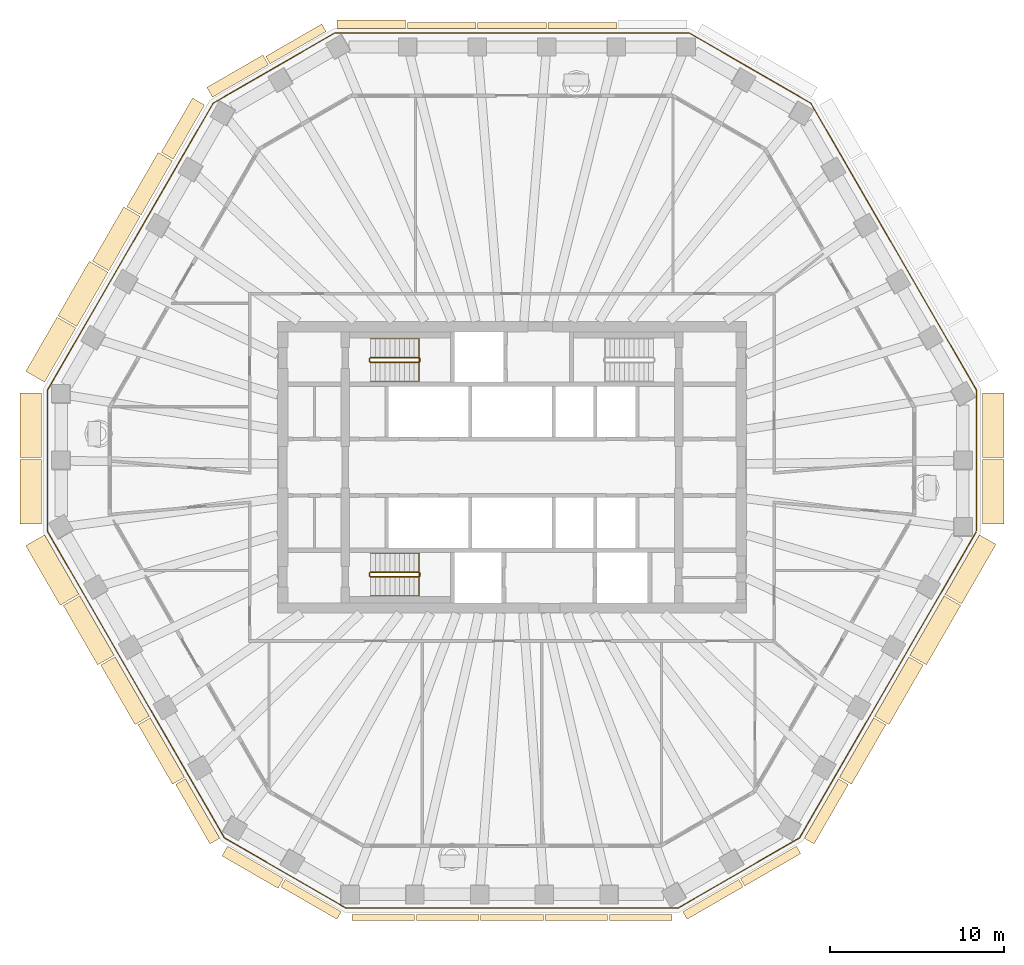
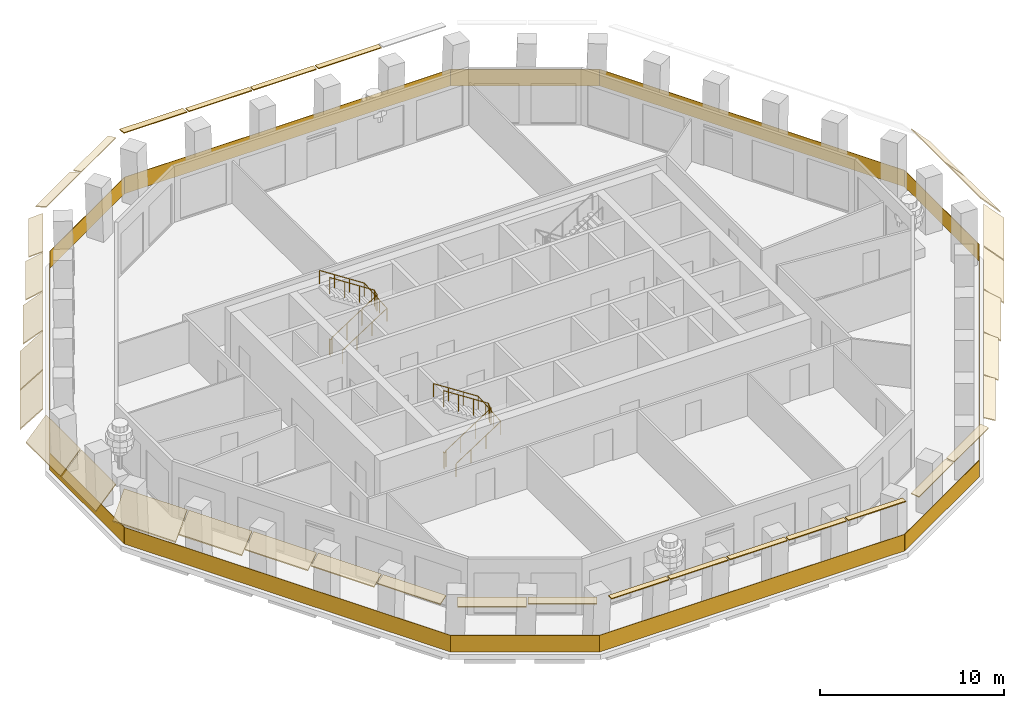
# One storey, part 9 of 12: 34 coverings, 5 railings.
"""IFC4 building model written with IfcOpenShell, lengths in metres."""

from ifc_helpers import new_model, si_unit, direction, frame, origin, origin_2d, place, context, subcontext, project, spatial, polyline, rectangle, circle, outline, extrude, material, layer, layer_set, type_object, element, save


model = new_model("IFC4")

# Units and contexts
model_context = context("Model", 3, precision=1e-05, world=origin(), true_north=direction((0.0, 1.0)))
body_context = subcontext(model_context, "Body", "Model", "MODEL_VIEW")
ifc_project = project(units=[si_unit("LENGTHUNIT", "METRE"), si_unit("AREAUNIT", "SQUARE_METRE"), si_unit("VOLUMEUNIT", "CUBIC_METRE"), si_unit("PLANEANGLEUNIT", "RADIAN"), si_unit("MASSUNIT", "GRAM", prefix="KILO")], contexts=[model_context])

# Site, building, storey
site_placement = place(None, origin())
site = spatial("IfcSite", under=ifc_project, at=site_placement, CompositionType="ELEMENT")
building_placement = place(site_placement, origin())
building = spatial("IfcBuilding", under=site, at=building_placement, Name="Frailejon Research Tower", CompositionType="ELEMENT")
storey_placement = place(building_placement, frame((0.0, 0.0, 223.39990234375)))
storey = spatial("IfcBuildingStorey", under=building, at=storey_placement, Name="L48", CompositionType="ELEMENT", Elevation=223.39990234375)

# Coverings
ifc_material_1 = material(Name="Precast concrete C50/60", Category="concrete")
ifc_layer_1 = layer(ifc_material_1, 0.06005859375)
ifc_layer_set_1 = layer_set([ifc_layer_1], Name="Brim blade depth 1100")
covering_type_1 = type_object("IfcCoveringType", Name="Brim blade depth 1100", PredefinedType="CLADDING", material=ifc_layer_set_1)
covering_1_placement = place(storey_placement, frame((-23.203857421875, 11.315185546875, 3.85009765625), z_axis=(0.499999687964, 0.866025583938, 0.0), x_axis=(-0.866025583938, 0.499999687964, 0.0)))
element("IfcCovering", 1, at=covering_1_placement, inside=storey, type_object=covering_type_1, Name="Brim blade L48", PredefinedType="CLADDING", context=body_context, shape_type="SweptSolid", body=[
    extrude(outline(polyline([(0.0, -0.078369140625), (1.10009765625, -1.001220703125), (1.10009765625, -0.923095703125), (0.0, 0.0), (0.0, -0.078369140625)])), origin(), (0.0, 0.0, 1.0), 3.605224609375),
])
for number, where, z_axis, x_axis, name in (
    (2, (-22.905517578125, -10.826416015625, 3.85009765625), (-0.499983695869, 0.866034816774, 0.0), (-0.866034816774, -0.499983695869, 0.0), "Brim blade L48"),
    (3, (24.882080078125, -7.402587890625, 3.85009765625), (-0.499983695869, -0.866034816774, 0.0), (0.866034816774, -0.499983695869, 0.0), "Brim blade L48"),
    (4, (26.908935546875, -3.89208984375, 3.85009765625), (-0.500012880917, -0.866017966856, 0.0), (0.866017966856, -0.500012880917, 0.0), "Brim blade L48"),
):
    element("IfcCovering", number, at=place(storey_placement, frame(where, z_axis=z_axis, x_axis=x_axis)), inside=storey, type_object=covering_type_1, Name=name, PredefinedType="CLADDING", context=body_context, shape_type="SweptSolid", body=[
        extrude(outline(polyline([(0.0, -0.078369140625), (1.10009765625, -1.001220703125), (1.10009765625, -0.923095703125), (0.0, 0.0), (0.0, -0.078369140625)])), origin(), (0.0, 0.0, 1.0), 3.95361328125),
    ])
ifc_material_2 = material(Name="Precast concrete C50/60", Category="concrete")
ifc_layer_2 = layer(ifc_material_2, 0.06005859375)
ifc_layer_set_2 = layer_set([ifc_layer_2], Name="Brim blade depth 1250")
covering_type_2 = type_object("IfcCoveringType", Name="Brim blade depth 1250", PredefinedType="CLADDING", material=ifc_layer_set_2)
for number, where, z_axis, x_axis, name in (
    (5, (27.07470703125, 0.452880859375, 3.85009765625), (0.0, -1.0, 0.0), (1.0, 0.0, 0.0), "Brim blade L48"),
    (6, (27.07470703125, 4.279541015625, 3.85009765625), (0.0, -1.0, 0.0), (1.0, 0.0, 0.0), "Brim blade L48"),
):
    element("IfcCovering", number, at=place(storey_placement, frame(where, z_axis=z_axis, x_axis=x_axis)), inside=storey, type_object=covering_type_2, Name=name, PredefinedType="CLADDING", context=body_context, shape_type="SweptSolid", body=[
        extrude(outline(polyline([(0.0, -0.0888671875), (1.25, -1.452880859375), (1.25, -1.364013671875), (0.0, 0.0), (0.0, -0.0888671875)])), origin(), (0.0, 0.0, 1.0), 3.726806640625),
    ])
covering_2_placement = place(storey_placement, frame((-25.056396484375, 8.106689453125, 3.85009765625), z_axis=(0.499991131855, 0.86603052375, 0.0), x_axis=(-0.86603052375, 0.499991131855, 0.0)))
element("IfcCovering", 7, at=covering_2_placement, inside=storey, type_object=covering_type_2, Name="Brim blade L48", PredefinedType="CLADDING", context=body_context, shape_type="SweptSolid", body=[
    extrude(outline(polyline([(0.0, -0.0888671875), (1.25, -1.452880859375), (1.25, -1.364013671875), (0.0, 0.0), (0.0, -0.0888671875)])), origin(), (0.0, 0.0, 1.0), 3.60498046875),
])
covering_3_placement = place(storey_placement, frame((-26.908935546875, 4.897705078125, 3.85009765625), z_axis=(0.499999687964, 0.866025583938, 0.0), x_axis=(-0.866025583938, 0.499999687964, 0.0)))
element("IfcCovering", 8, at=covering_3_placement, inside=storey, type_object=covering_type_2, Name="Brim blade L48", PredefinedType="CLADDING", context=body_context, shape_type="SweptSolid", body=[
    extrude(outline(polyline([(0.0, -0.0888671875), (1.25, -1.452880859375), (1.25, -1.364013671875), (0.0, 0.0), (0.0, -0.0888671875)])), origin(), (0.0, 0.0, 1.0), 3.605224609375),
])
for number, where, z_axis, x_axis, name in (
    (9, (-27.07470703125, 0.552734375, 3.85009765625), (0.0, 1.0, 0.0), (-1.0, 0.0, 0.0), "Brim blade L48"),
    (10, (-27.07470703125, -3.27392578125, 3.85009765625), (0.0, 1.0, 0.0), (-1.0, 0.0, 0.0), "Brim blade L48"),
):
    element("IfcCovering", number, at=place(storey_placement, frame(where, z_axis=z_axis, x_axis=x_axis)), inside=storey, type_object=covering_type_2, Name=name, PredefinedType="CLADDING", context=body_context, shape_type="SweptSolid", body=[
        extrude(outline(polyline([(0.0, -0.0888671875), (1.25, -1.452880859375), (1.25, -1.364013671875), (0.0, 0.0), (0.0, -0.0888671875)])), origin(), (0.0, 0.0, 1.0), 3.726806640625),
    ])
covering_4_placement = place(storey_placement, frame((-24.93212890625, -7.31591796875, 3.85009765625), z_axis=(-0.500012880917, 0.866017966856, 0.0), x_axis=(-0.866017966856, -0.500012880917, 0.0)))
element("IfcCovering", 11, at=covering_4_placement, inside=storey, type_object=covering_type_2, Name="Brim blade L48", PredefinedType="CLADDING", context=body_context, shape_type="SweptSolid", body=[
    extrude(outline(polyline([(0.0, -0.0888671875), (1.25, -1.452880859375), (1.25, -1.364013671875), (0.0, 0.0), (0.0, -0.0888671875)])), origin(), (0.0, 0.0, 1.0), 3.95361328125),
])
ifc_material_3 = material(Name="Precast concrete C50/60", Category="concrete")
ifc_layer_3 = layer(ifc_material_3, 0.06005859375)
ifc_layer_set_3 = layer_set([ifc_layer_3], Name="Brim blade depth 350")
covering_type_3 = type_object("IfcCoveringType", Name="Brim blade depth 350", PredefinedType="CLADDING", material=ifc_layer_set_3)
for number, where, z_axis, x_axis, name in (
    (12, (2.076904296875, 25.25, 3.85009765625), (1.0, 0.0, 0.0), (0.0, 1.0, 0.0), "Brim blade L48"),
    (13, (-1.976806640625, 25.25, 3.85009765625), (1.0, 0.0, 0.0), (0.0, 1.0, 0.0), "Brim blade L48"),
    (14, (-6.0302734375, 25.25, 3.85009765625), (1.0, 0.0, 0.0), (0.0, 1.0, 0.0), "Brim blade L48"),
):
    element("IfcCovering", number, at=place(storey_placement, frame(where, z_axis=z_axis, x_axis=x_axis)), inside=storey, type_object=covering_type_3, Name=name, PredefinedType="CLADDING", context=body_context, shape_type="SweptSolid", body=[
        extrude(outline(polyline([(0.0, -0.06005859375), (0.35009765625, -0.06005859375), (0.35009765625, 0.0), (0.0, 0.0), (0.0, -0.06005859375)])), origin(), (0.0, 0.0, 1.0), 3.95361328125),
    ])
covering_5_placement = place(storey_placement, frame((-5.607666015625, -25.752685546875, 3.85009765625), z_axis=(-1.0, 0.0, 0.0), x_axis=(0.0, -1.0, 0.0)))
element("IfcCovering", 15, at=covering_5_placement, inside=storey, type_object=covering_type_3, Name="Brim blade L48", PredefinedType="CLADDING", context=body_context, shape_type="SweptSolid", body=[
    extrude(outline(polyline([(0.0, -0.06005859375), (0.35009765625, -0.06005859375), (0.35009765625, 0.0), (0.0, 0.0), (0.0, -0.06005859375)])), origin(), (0.0, 0.0, 1.0), 3.605224609375),
])
covering_6_placement = place(storey_placement, frame((-1.902587890625, -25.752685546875, 3.85009765625), z_axis=(-1.0, 0.0, 0.0), x_axis=(0.0, -1.0, 0.0)))
element("IfcCovering", 16, at=covering_6_placement, inside=storey, type_object=covering_type_3, Name="Brim blade L48", PredefinedType="CLADDING", context=body_context, shape_type="SweptSolid", body=[
    extrude(outline(polyline([(0.0, -0.06005859375), (0.35009765625, -0.06005859375), (0.35009765625, 0.0), (0.0, 0.0), (0.0, -0.06005859375)])), origin(), (0.0, 0.0, 1.0), 3.60498046875),
])
covering_7_placement = place(storey_placement, frame((1.802490234375, -25.752685546875, 3.85009765625), z_axis=(-1.0, 0.0, 0.0), x_axis=(0.0, -1.0, 0.0)))
element("IfcCovering", 17, at=covering_7_placement, inside=storey, type_object=covering_type_3, Name="Brim blade L48", PredefinedType="CLADDING", context=body_context, shape_type="SweptSolid", body=[
    extrude(outline(polyline([(0.0, -0.06005859375), (0.35009765625, -0.06005859375), (0.35009765625, 0.0), (0.0, 0.0), (0.0, -0.06005859375)])), origin(), (0.0, 0.0, 1.0), 3.605224609375),
])
covering_8_placement = place(storey_placement, frame((5.5078125, -25.752685546875, 3.85009765625), z_axis=(-1.0, 0.0, 0.0), x_axis=(0.0, -1.0, 0.0)))
element("IfcCovering", 18, at=covering_8_placement, inside=storey, type_object=covering_type_3, Name="Brim blade L48", PredefinedType="CLADDING", context=body_context, shape_type="SweptSolid", body=[
    extrude(outline(polyline([(0.0, -0.06005859375), (0.35009765625, -0.06005859375), (0.35009765625, 0.0), (0.0, 0.0), (0.0, -0.06005859375)])), origin(), (0.0, 0.0, 1.0), 3.60498046875),
])
covering_9_placement = place(storey_placement, frame((9.212890625, -25.752685546875, 3.85009765625), z_axis=(-1.0, 0.0, 0.0), x_axis=(0.0, -1.0, 0.0)))
element("IfcCovering", 19, at=covering_9_placement, inside=storey, type_object=covering_type_3, Name="Brim blade L48", PredefinedType="CLADDING", context=body_context, shape_type="SweptSolid", body=[
    extrude(outline(polyline([(0.0, -0.06005859375), (0.35009765625, -0.06005859375), (0.35009765625, 0.0), (0.0, 0.0), (0.0, -0.06005859375)])), origin(), (0.0, 0.0, 1.0), 3.605224609375),
])
ifc_material_4 = material(Name="Precast concrete C50/60", Category="concrete")
ifc_layer_4 = layer(ifc_material_4, 0.06005859375)
ifc_layer_set_4 = layer_set([ifc_layer_4], Name="Brim blade depth 500")
covering_type_4 = type_object("IfcCoveringType", Name="Brim blade depth 500", PredefinedType="CLADDING", material=ifc_layer_set_4)
covering_10_placement = place(storey_placement, frame((-10.083740234375, 25.25, 3.85009765625), z_axis=(1.0, 0.0, 0.0), x_axis=(0.0, 1.0, 0.0)))
element("IfcCovering", 20, at=covering_10_placement, inside=storey, type_object=covering_type_4, Name="Brim blade L48", PredefinedType="CLADDING", context=body_context, shape_type="SweptSolid", body=[
    extrude(outline(polyline([(0.0, -0.060546875), (0.5, -0.130859375), (0.5, -0.0703125), (0.0, 0.0), (0.0, -0.060546875)])), origin(), (0.0, 0.0, 1.0), 3.95361328125),
])
for number, where, z_axis, x_axis, name in (
    (21, (-13.929443359375, 23.220947265625, 3.85009765625), (0.866018477835, 0.500011995905, 0.0), (-0.500011995905, 0.866018477835, 0.0), "Brim blade L48"),
    (22, (-9.831298828125, -25.587158203125, 3.85009765625), (-0.866029793251, 0.499992397145, 0.0), (-0.499992397145, -0.866029793251, 0.0), "Brim blade L48"),
    (23, (13.05859375, -23.723876953125, 3.85009765625), (-0.866029793251, -0.499992397145, 0.0), (0.499992397145, -0.866029793251, 0.0), "Brim blade L48"),
    (24, (16.37255859375, -21.810302734375, 3.85009765625), (-0.866018477835, -0.500011995905, 0.0), (0.500011995905, -0.866018477835, 0.0), "Brim blade L48"),
):
    element("IfcCovering", number, at=place(storey_placement, frame(where, z_axis=z_axis, x_axis=x_axis)), inside=storey, type_object=covering_type_4, Name=name, PredefinedType="CLADDING", context=body_context, shape_type="SweptSolid", body=[
        extrude(outline(polyline([(0.0, -0.060546875), (0.5, -0.130859375), (0.5, -0.0703125), (0.0, 0.0), (0.0, -0.060546875)])), origin(), (0.0, 0.0, 1.0), 3.726806640625),
    ])
ifc_material_5 = material(Name="Precast concrete C50/60", Category="concrete")
ifc_layer_5 = layer(ifc_material_5, 0.06005859375)
ifc_layer_set_5 = layer_set([ifc_layer_5], Name="Brim blade depth 650")
covering_type_5 = type_object("IfcCoveringType", Name="Brim blade depth 650", PredefinedType="CLADDING", material=ifc_layer_set_5)
covering_11_placement = place(storey_placement, frame((-17.243408203125, 21.3076171875, 3.85009765625), z_axis=(0.866029793251, 0.499992397145, 0.0), x_axis=(-0.499992397145, 0.866029793251, 0.0)))
element("IfcCovering", 25, at=covering_11_placement, inside=storey, type_object=covering_type_5, Name="Brim blade L48", PredefinedType="CLADDING", context=body_context, shape_type="SweptSolid", body=[
    extrude(outline(polyline([(0.0, -0.0625), (0.64990234375, -0.248779296875), (0.64990234375, -0.186279296875), (0.0, 0.0), (0.0, -0.0625)])), origin(), (0.0, 0.0, 1.0), 3.726806640625),
])
covering_12_placement = place(storey_placement, frame((-16.8251953125, -21.35791015625, 3.85009765625), z_axis=(-0.500012880917, 0.866017966856, 0.0), x_axis=(-0.866017966856, -0.500012880917, 0.0)))
element("IfcCovering", 26, at=covering_12_placement, inside=storey, type_object=covering_type_5, Name="Brim blade L48", PredefinedType="CLADDING", context=body_context, shape_type="SweptSolid", body=[
    extrude(outline(polyline([(0.0, -0.0625), (0.64990234375, -0.248779296875), (0.64990234375, -0.186279296875), (0.0, 0.0), (0.0, -0.0625)])), origin(), (0.0, 0.0, 1.0), 3.95361328125),
])
covering_13_placement = place(storey_placement, frame((-13.145263671875, -23.673828125, 3.85009765625), z_axis=(-0.866018477835, 0.500011995905, 0.0), x_axis=(-0.500011995905, -0.866018477835, 0.0)))
element("IfcCovering", 27, at=covering_13_placement, inside=storey, type_object=covering_type_5, Name="Brim blade L48", PredefinedType="CLADDING", context=body_context, shape_type="SweptSolid", body=[
    extrude(outline(polyline([(0.0, -0.0625), (0.64990234375, -0.248779296875), (0.64990234375, -0.186279296875), (0.0, 0.0), (0.0, -0.0625)])), origin(), (0.0, 0.0, 1.0), 3.726806640625),
])
covering_14_placement = place(storey_placement, frame((18.802001953125, -17.93408203125, 3.85009765625), z_axis=(-0.500012880917, -0.866017966856, 0.0), x_axis=(0.866017966856, -0.500012880917, 0.0)))
element("IfcCovering", 28, at=covering_14_placement, inside=storey, type_object=covering_type_5, Name="Brim blade L48", PredefinedType="CLADDING", context=body_context, shape_type="SweptSolid", body=[
    extrude(outline(polyline([(0.0, -0.0625), (0.64990234375, -0.248779296875), (0.64990234375, -0.186279296875), (0.0, 0.0), (0.0, -0.0625)])), origin(), (0.0, 0.0, 1.0), 3.95361328125),
])
ifc_material_6 = material(Name="Precast concrete C50/60", Category="concrete")
ifc_layer_6 = layer(ifc_material_6, 0.06005859375)
ifc_layer_set_6 = layer_set([ifc_layer_6], Name="Brim blade depth 800")
covering_type_6 = type_object("IfcCoveringType", Name="Brim blade depth 800", PredefinedType="CLADDING", material=ifc_layer_set_6)
covering_15_placement = place(storey_placement, frame((-19.498779296875, 17.73291015625, 3.85009765625), z_axis=(0.499999687964, 0.866025583938, 0.0), x_axis=(-0.866025583938, 0.499999687964, 0.0)))
element("IfcCovering", 29, at=covering_15_placement, inside=storey, type_object=covering_type_6, Name="Brim blade L48", PredefinedType="CLADDING", context=body_context, shape_type="SweptSolid", body=[
    extrude(outline(polyline([(0.0, -0.065673828125), (0.800048828125, -0.421875), (0.800048828125, -0.356201171875), (0.0, 0.0), (0.0, -0.065673828125)])), origin(), (0.0, 0.0, 1.0), 3.605224609375),
])
for number, where, z_axis, x_axis, name in (
    (30, (-18.85205078125, -17.847412109375, 3.85009765625), (-0.499983695869, 0.866034816774, 0.0), (-0.866034816774, -0.499983695869, 0.0), "Brim blade L48"),
    (31, (20.82861328125, -14.423583984375, 3.85009765625), (-0.499983695869, -0.866034816774, 0.0), (0.866034816774, -0.499983695869, 0.0), "Brim blade L48"),
):
    element("IfcCovering", number, at=place(storey_placement, frame(where, z_axis=z_axis, x_axis=x_axis)), inside=storey, type_object=covering_type_6, Name=name, PredefinedType="CLADDING", context=body_context, shape_type="SweptSolid", body=[
        extrude(outline(polyline([(0.0, -0.065673828125), (0.800048828125, -0.421875), (0.800048828125, -0.356201171875), (0.0, 0.0), (0.0, -0.065673828125)])), origin(), (0.0, 0.0, 1.0), 3.95361328125),
    ])
ifc_material_7 = material(Name="Precast concrete C50/60", Category="concrete")
ifc_layer_7 = layer(ifc_material_7, 0.06005859375)
ifc_layer_set_7 = layer_set([ifc_layer_7], Name="Brim blade depth 950")
covering_type_7 = type_object("IfcCoveringType", Name="Brim blade depth 950", PredefinedType="CLADDING", material=ifc_layer_set_7)
covering_16_placement = place(storey_placement, frame((-21.351318359375, 14.524169921875, 3.85009765625), z_axis=(0.500011373958, 0.866018836927, 0.0), x_axis=(-0.866018836927, 0.500011373958, 0.0)))
element("IfcCovering", 32, at=covering_16_placement, inside=storey, type_object=covering_type_7, Name="Brim blade L48", PredefinedType="CLADDING", context=body_context, shape_type="SweptSolid", body=[
    extrude(outline(polyline([(0.0, -0.07080078125), (0.949951171875, -0.664306640625), (0.949951171875, -0.593505859375), (0.0, 0.0), (0.0, -0.07080078125)])), origin(), (0.0, 0.0, 1.0), 3.60498046875),
])
for number, where, z_axis, x_axis, name in (
    (33, (-20.878662109375, -14.3369140625, 3.85009765625), (-0.500012880917, 0.866017966856, 0.0), (-0.866017966856, -0.500012880917, 0.0), "Brim blade L48"),
    (34, (22.85546875, -10.9130859375, 3.85009765625), (-0.500012880917, -0.866017966856, 0.0), (0.866017966856, -0.500012880917, 0.0), "Brim blade L48"),
):
    element("IfcCovering", number, at=place(storey_placement, frame(where, z_axis=z_axis, x_axis=x_axis)), inside=storey, type_object=covering_type_7, Name=name, PredefinedType="CLADDING", context=body_context, shape_type="SweptSolid", body=[
        extrude(outline(polyline([(0.0, -0.07080078125), (0.949951171875, -0.664306640625), (0.949951171875, -0.593505859375), (0.0, 0.0), (0.0, -0.07080078125)])), origin(), (0.0, 0.0, 1.0), 3.95361328125),
    ])

# Railings
ifc_material_8 = material(Name="Laminated glass balustrade", Category="glass")
railing_type_1 = type_object("IfcRailingType", Name="Glass guard 1100", PredefinedType="GUARDRAIL", material=ifc_material_8)
railing_1_placement = place(storey_placement, frame((26.754638671875, -3.664794921875, 0.0)))
element("IfcRailing", 35, at=railing_1_placement, inside=storey, type_object=railing_type_1, Name="Loggia guard L48", PredefinedType="GUARDRAIL", context=body_context, shape_type="SweptSolid", body=[
    extrude(rectangle(XDim=8.083740234375, YDim=0.030029296875, at=origin_2d()), frame((0.0, 4.0419921875, 0.0), z_axis=(0.0, 0.0, 1.0), x_axis=(0.0, 1.0, 0.0)), (0.0, 0.0, 1.0), 1.10009765625),
    extrude(rectangle(XDim=19.100830078125, YDim=0.030029296875, at=origin_2d()), frame((-4.775390625, 16.3544921875, 0.0), z_axis=(0.0, 0.0, 1.0), x_axis=(-0.500006063397, 0.866021903052, 0.0)), (0.0, 0.0, 1.0), 1.10009765625),
    extrude(rectangle(XDim=8.08349609375, YDim=0.030029296875, at=origin_2d()), frame((-13.05078125, 26.646484375, 0.0), z_axis=(0.0, 0.0, 1.0), x_axis=(-0.866011562111, 0.500023973715, 0.0)), (0.0, 0.0, 1.0), 1.10009765625),
    extrude(rectangle(XDim=20.4072265625, YDim=0.030029296875, at=origin_2d()), frame((-26.754638671875, 28.66748046875, 0.0), z_axis=(0.0, 0.0, 1.0), x_axis=(-1.0, 0.0, 0.0)), (0.0, 0.0, 1.0), 1.10009765625),
    extrude(rectangle(XDim=8.08349609375, YDim=0.030029296875, at=origin_2d()), frame((-40.45849609375, 26.646484375, 0.0), z_axis=(0.0, 0.0, 1.0), x_axis=(-0.866011562111, -0.500023973715, 0.0)), (0.0, 0.0, 1.0), 1.10009765625),
    extrude(rectangle(XDim=19.100830078125, YDim=0.030029296875, at=origin_2d()), frame((-48.73388671875, 16.3544921875, 0.0), z_axis=(0.0, 0.0, 1.0), x_axis=(-0.500006063397, -0.866021903052, 0.0)), (0.0, 0.0, 1.0), 1.10009765625),
    extrude(rectangle(XDim=8.083740234375, YDim=0.030029296875, at=origin_2d()), frame((-53.50927734375, 4.0419921875, 0.0), z_axis=(0.0, 0.0, 1.0), x_axis=(0.0, -1.0, 0.0)), (0.0, 0.0, 1.0), 1.10009765625),
    extrude(rectangle(XDim=20.4072265625, YDim=0.030029296875, at=origin_2d()), frame((-48.407470703125, -8.83642578125, 0.0), z_axis=(0.0, 0.0, 1.0), x_axis=(0.50000171703, -0.866024412454, 0.0)), (0.0, 0.0, 1.0), 1.10009765625),
    extrude(rectangle(XDim=8.08349609375, YDim=0.030029296875, at=origin_2d()), frame((-39.805419921875, -19.69384765625, 0.0), z_axis=(0.0, 0.0, 1.0), x_axis=(0.866024640271, -0.500001322442, 0.0)), (0.0, 0.0, 1.0), 1.10009765625),
    extrude(rectangle(XDim=19.10107421875, YDim=0.030029296875, at=origin_2d()), frame((-26.754638671875, -21.71484375, 0.0), z_axis=(0.0, 0.0, 1.0), x_axis=(1.0, 0.0, 0.0)), (0.0, 0.0, 1.0), 1.10009765625),
    extrude(rectangle(XDim=8.08349609375, YDim=0.030029296875, at=origin_2d()), frame((-13.703857421875, -19.69384765625, 0.0), z_axis=(0.0, 0.0, 1.0), x_axis=(0.866024640271, 0.500001322442, 0.0)), (0.0, 0.0, 1.0), 1.10009765625),
    extrude(rectangle(XDim=20.337158203125, YDim=0.030029296875, at=origin_2d()), frame((-5.119140625, -8.86669921875, 0.0), z_axis=(0.0, 0.0, 1.0), x_axis=(0.500003369359, 0.866023458475, 0.0)), (0.0, 0.0, 1.0), 1.10009765625),
])
ifc_material_9 = material(Name="Stainless steel", Category="steel")
railing_type_2 = type_object("IfcRailingType", Name="Stair guard 1100", PredefinedType="GUARDRAIL", material=ifc_material_9)
railing_2_placement = place(storey_placement, frame((-8.199951171875, 6.25, 0.0)))
element("IfcRailing", 36, at=railing_2_placement, inside=storey, type_object=railing_type_2, Name="L48 ST1 stair guard 1", PredefinedType="GUARDRAIL", context=body_context, shape_type="SweptSolid", body=[
    extrude(circle(Radius=0.02392578125, at=origin_2d()), frame((0.0, 0.0, 1.076171875), z_axis=(0.0, -1.0, 0.0), x_axis=(1.0, 0.0, 0.0)), (0.0, 0.0, 1.0), 0.14990234375),
    extrude(circle(Radius=0.02392578125, at=origin_2d()), frame((0.0, -0.14990234375, 1.076171875), z_axis=(0.256435381639, -0.256435381639, 0.931923704005), x_axis=(0.707106781187, 0.707106781187, 0.0)), (0.0, 0.0, 1.0), 0.195068359375),
    extrude(circle(Radius=0.02392578125, at=origin_2d()), frame((0.050048828125, -0.199951171875, 1.2578125), z_axis=(0.83868413941, 0.0, 0.544618136222), x_axis=(0.0, 1.0, 0.0)), (0.0, 0.0, 1.0), 3.33837890625),
    extrude(circle(Radius=0.02392578125, at=origin_2d()), frame((2.849853515625, -0.199951171875, 3.076171875), z_axis=(0.707106781187, 0.707106781187, 0.0), x_axis=(-0.707106781187, 0.707106781187, 0.0)), (0.0, 0.0, 1.0), 0.07080078125),
    extrude(circle(Radius=0.02392578125, at=origin_2d()), frame((2.89990234375, -0.14990234375, 3.076171875), z_axis=(0.0, 1.0, 0.0), x_axis=(-1.0, 0.0, 0.0)), (0.0, 0.0, 1.0), 0.14990234375),
    extrude(circle(Radius=0.02392578125, at=origin_2d()), frame((2.89990234375, 0.0, 3.076171875), z_axis=(-0.256435381639, 0.256435381639, 0.931923704005), x_axis=(-0.707106781187, -0.707106781187, 0.0)), (0.0, 0.0, 1.0), 0.195068359375),
    extrude(circle(Radius=0.02392578125, at=origin_2d()), frame((2.849853515625, 0.050048828125, 3.2578125), z_axis=(-0.83868413941, 0.0, 0.544618136222), x_axis=(0.0, -1.0, 0.0)), (0.0, 0.0, 1.0), 3.33837890625),
    extrude(circle(Radius=0.02099609375, at=origin_2d()), origin(), (0.0, 0.0, 1.0), 1.052001953125),
    extrude(circle(Radius=0.02099609375, at=origin_2d()), frame((0.0, -0.14990234375, 0.0)), (0.0, 0.0, 1.0), 1.052001953125),
    extrude(circle(Radius=0.02099609375, at=origin_2d()), frame((0.050048828125, -0.199951171875, 0.181884765625)), (0.0, 0.0, 1.0), 1.052001953125),
    extrude(circle(Radius=0.02099609375, at=origin_2d()), frame((0.9833984375, -0.199951171875, 0.787841796875)), (0.0, 0.0, 1.0), 1.052001953125),
    extrude(circle(Radius=0.02099609375, at=origin_2d()), frame((1.91650390625, -0.199951171875, 1.39404296875)), (0.0, 0.0, 1.0), 1.052001953125),
    extrude(circle(Radius=0.02099609375, at=origin_2d()), frame((2.849853515625, -0.199951171875, 2.0)), (0.0, 0.0, 1.0), 1.052001953125),
    extrude(circle(Radius=0.02099609375, at=origin_2d()), frame((2.89990234375, -0.14990234375, 2.0)), (0.0, 0.0, 1.0), 1.052001953125),
    extrude(circle(Radius=0.02099609375, at=origin_2d()), frame((2.89990234375, 0.0, 2.0)), (0.0, 0.0, 1.0), 1.052001953125),
    extrude(circle(Radius=0.02099609375, at=origin_2d()), frame((2.849853515625, 0.050048828125, 2.181884765625)), (0.0, 0.0, 1.0), 1.052001953125),
    extrude(circle(Radius=0.02099609375, at=origin_2d()), frame((1.91650390625, 0.050048828125, 2.787841796875)), (0.0, 0.0, 1.0), 1.052001953125),
    extrude(circle(Radius=0.02099609375, at=origin_2d()), frame((0.9833984375, 0.050048828125, 3.39404296875)), (0.0, 0.0, 1.0), 1.052001953125),
    extrude(circle(Radius=0.02099609375, at=origin_2d()), frame((0.050048828125, 0.050048828125, 4.0)), (0.0, 0.0, 1.0), 1.052001953125),
])
railing_3_placement = place(storey_placement, frame((-8.199951171875, -6.10009765625, 0.0)))
element("IfcRailing", 37, at=railing_3_placement, inside=storey, type_object=railing_type_2, Name="L48 ST2 stair guard 1", PredefinedType="GUARDRAIL", context=body_context, shape_type="SweptSolid", body=[
    extrude(circle(Radius=0.02392578125, at=origin_2d()), frame((0.0, 0.0, 1.076171875), z_axis=(0.0, -1.0, 0.0), x_axis=(1.0, 0.0, 0.0)), (0.0, 0.0, 1.0), 0.14990234375),
    extrude(circle(Radius=0.02392578125, at=origin_2d()), frame((0.0, -0.14990234375, 1.076171875), z_axis=(0.256435381639, -0.256435381639, 0.931923704005), x_axis=(0.707106781187, 0.707106781187, 0.0)), (0.0, 0.0, 1.0), 0.195068359375),
    extrude(circle(Radius=0.02392578125, at=origin_2d()), frame((0.050048828125, -0.199951171875, 1.2578125), z_axis=(0.83868413941, 0.0, 0.544618136222), x_axis=(0.0, 1.0, 0.0)), (0.0, 0.0, 1.0), 3.33837890625),
    extrude(circle(Radius=0.02392578125, at=origin_2d()), frame((2.849853515625, -0.199951171875, 3.076171875), z_axis=(0.707106781187, 0.707106781187, 0.0), x_axis=(-0.707106781187, 0.707106781187, 0.0)), (0.0, 0.0, 1.0), 0.07080078125),
    extrude(circle(Radius=0.02392578125, at=origin_2d()), frame((2.89990234375, -0.14990234375, 3.076171875), z_axis=(0.0, 1.0, 0.0), x_axis=(-1.0, 0.0, 0.0)), (0.0, 0.0, 1.0), 0.14990234375),
    extrude(circle(Radius=0.02392578125, at=origin_2d()), frame((2.89990234375, 0.0, 3.076171875), z_axis=(-0.256435381639, 0.256435381639, 0.931923704005), x_axis=(-0.707106781187, -0.707106781187, 0.0)), (0.0, 0.0, 1.0), 0.195068359375),
    extrude(circle(Radius=0.02392578125, at=origin_2d()), frame((2.849853515625, 0.050048828125, 3.2578125), z_axis=(-0.83868413941, 0.0, 0.544618136222), x_axis=(0.0, -1.0, 0.0)), (0.0, 0.0, 1.0), 3.33837890625),
    extrude(circle(Radius=0.02099609375, at=origin_2d()), origin(), (0.0, 0.0, 1.0), 1.052001953125),
    extrude(circle(Radius=0.02099609375, at=origin_2d()), frame((0.0, -0.14990234375, 0.0)), (0.0, 0.0, 1.0), 1.052001953125),
    extrude(circle(Radius=0.02099609375, at=origin_2d()), frame((0.050048828125, -0.199951171875, 0.181884765625)), (0.0, 0.0, 1.0), 1.052001953125),
    extrude(circle(Radius=0.02099609375, at=origin_2d()), frame((0.9833984375, -0.199951171875, 0.787841796875)), (0.0, 0.0, 1.0), 1.052001953125),
    extrude(circle(Radius=0.02099609375, at=origin_2d()), frame((1.91650390625, -0.199951171875, 1.39404296875)), (0.0, 0.0, 1.0), 1.052001953125),
    extrude(circle(Radius=0.02099609375, at=origin_2d()), frame((2.849853515625, -0.199951171875, 2.0)), (0.0, 0.0, 1.0), 1.052001953125),
    extrude(circle(Radius=0.02099609375, at=origin_2d()), frame((2.89990234375, -0.14990234375, 2.0)), (0.0, 0.0, 1.0), 1.052001953125),
    extrude(circle(Radius=0.02099609375, at=origin_2d()), frame((2.89990234375, 0.0, 2.0)), (0.0, 0.0, 1.0), 1.052001953125),
    extrude(circle(Radius=0.02099609375, at=origin_2d()), frame((2.849853515625, 0.050048828125, 2.181884765625)), (0.0, 0.0, 1.0), 1.052001953125),
    extrude(circle(Radius=0.02099609375, at=origin_2d()), frame((1.91650390625, 0.050048828125, 2.787841796875)), (0.0, 0.0, 1.0), 1.052001953125),
    extrude(circle(Radius=0.02099609375, at=origin_2d()), frame((0.9833984375, 0.050048828125, 3.39404296875)), (0.0, 0.0, 1.0), 1.052001953125),
    extrude(circle(Radius=0.02099609375, at=origin_2d()), frame((0.050048828125, 0.050048828125, 4.0)), (0.0, 0.0, 1.0), 1.052001953125),
])
ifc_material_10 = material(Name="Stainless steel", Category="steel")
railing_type_3 = type_object("IfcRailingType", Name="Stair handrail 900", PredefinedType="HANDRAIL", material=ifc_material_10)
railing_4_placement = place(storey_placement, frame((-8.14990234375, 4.949951171875, 0.181884765625)))
element("IfcRailing", 38, at=railing_4_placement, inside=storey, type_object=railing_type_3, Name="L48 ST1 stair handrail 1", PredefinedType="HANDRAIL", context=body_context, shape_type="SweptSolid", body=[
    extrude(circle(Radius=0.02392578125, at=origin_2d()), frame((0.0, 0.0, 0.8759765625), z_axis=(0.83868413941, 0.0, 0.544618136222), x_axis=(0.0, 1.0, 0.0)), (0.0, 0.0, 1.0), 3.33837890625),
    extrude(circle(Radius=0.02392578125, at=origin_2d()), frame((2.7998046875, 0.0, 2.69384765625), z_axis=(0.0, 0.997255538948, 0.074036410216), x_axis=(-1.0, 0.0, 0.0)), (0.0, 0.0, 1.0), 2.456787109375),
    extrude(circle(Radius=0.02392578125, at=origin_2d()), frame((2.7998046875, 2.449951171875, 2.8759765625), z_axis=(-0.83868413941, 0.0, 0.544618136222), x_axis=(0.0, -1.0, 0.0)), (0.0, 0.0, 1.0), 3.33837890625),
    extrude(circle(Radius=0.02099609375, at=origin_2d()), origin(), (0.0, 0.0, 1.0), 0.851806640625),
    extrude(circle(Radius=0.02099609375, at=origin_2d()), frame((0.933349609375, 0.0, 0.60595703125)), (0.0, 0.0, 1.0), 0.851806640625),
    extrude(circle(Radius=0.02099609375, at=origin_2d()), frame((1.866455078125, 0.0, 1.212158203125)), (0.0, 0.0, 1.0), 0.851806640625),
    extrude(circle(Radius=0.02099609375, at=origin_2d()), frame((2.7998046875, 0.0, 1.818115234375)), (0.0, 0.0, 1.0), 0.851806640625),
    extrude(circle(Radius=0.02099609375, at=origin_2d()), frame((2.7998046875, 0.816650390625, 1.878662109375)), (0.0, 0.0, 1.0), 0.851806640625),
    extrude(circle(Radius=0.02099609375, at=origin_2d()), frame((2.7998046875, 1.63330078125, 1.939453125)), (0.0, 0.0, 1.0), 0.851806640625),
    extrude(circle(Radius=0.02099609375, at=origin_2d()), frame((2.7998046875, 2.449951171875, 2.0)), (0.0, 0.0, 1.0), 0.851806640625),
    extrude(circle(Radius=0.02099609375, at=origin_2d()), frame((1.866455078125, 2.449951171875, 2.60595703125)), (0.0, 0.0, 1.0), 0.851806640625),
    extrude(circle(Radius=0.02099609375, at=origin_2d()), frame((0.933349609375, 2.449951171875, 3.212158203125)), (0.0, 0.0, 1.0), 0.851806640625),
    extrude(circle(Radius=0.02099609375, at=origin_2d()), frame((0.0, 2.449951171875, 3.818115234375)), (0.0, 0.0, 1.0), 0.851806640625),
])
railing_5_placement = place(storey_placement, frame((-8.14990234375, -7.39990234375, 0.181884765625)))
element("IfcRailing", 39, at=railing_5_placement, inside=storey, type_object=railing_type_3, Name="L48 ST2 stair handrail 1", PredefinedType="HANDRAIL", context=body_context, shape_type="SweptSolid", body=[
    extrude(circle(Radius=0.02392578125, at=origin_2d()), frame((0.0, 0.0, 0.8759765625), z_axis=(0.83868413941, 0.0, 0.544618136222), x_axis=(0.0, 1.0, 0.0)), (0.0, 0.0, 1.0), 3.33837890625),
    extrude(circle(Radius=0.02392578125, at=origin_2d()), frame((2.7998046875, 0.0, 2.69384765625), z_axis=(0.0, 0.997255538948, 0.074036410216), x_axis=(-1.0, 0.0, 0.0)), (0.0, 0.0, 1.0), 2.456787109375),
    extrude(circle(Radius=0.02392578125, at=origin_2d()), frame((2.7998046875, 2.449951171875, 2.8759765625), z_axis=(-0.83868413941, 0.0, 0.544618136222), x_axis=(0.0, -1.0, 0.0)), (0.0, 0.0, 1.0), 3.33837890625),
    extrude(circle(Radius=0.02099609375, at=origin_2d()), origin(), (0.0, 0.0, 1.0), 0.851806640625),
    extrude(circle(Radius=0.02099609375, at=origin_2d()), frame((0.933349609375, 0.0, 0.60595703125)), (0.0, 0.0, 1.0), 0.851806640625),
    extrude(circle(Radius=0.02099609375, at=origin_2d()), frame((1.866455078125, 0.0, 1.212158203125)), (0.0, 0.0, 1.0), 0.851806640625),
    extrude(circle(Radius=0.02099609375, at=origin_2d()), frame((2.7998046875, 0.0, 1.818115234375)), (0.0, 0.0, 1.0), 0.851806640625),
    extrude(circle(Radius=0.02099609375, at=origin_2d()), frame((2.7998046875, 0.816650390625, 1.878662109375)), (0.0, 0.0, 1.0), 0.851806640625),
    extrude(circle(Radius=0.02099609375, at=origin_2d()), frame((2.7998046875, 1.63330078125, 1.939453125)), (0.0, 0.0, 1.0), 0.851806640625),
    extrude(circle(Radius=0.02099609375, at=origin_2d()), frame((2.7998046875, 2.449951171875, 2.0)), (0.0, 0.0, 1.0), 0.851806640625),
    extrude(circle(Radius=0.02099609375, at=origin_2d()), frame((1.866455078125, 2.449951171875, 2.60595703125)), (0.0, 0.0, 1.0), 0.851806640625),
    extrude(circle(Radius=0.02099609375, at=origin_2d()), frame((0.933349609375, 2.449951171875, 3.212158203125)), (0.0, 0.0, 1.0), 0.851806640625),
    extrude(circle(Radius=0.02099609375, at=origin_2d()), frame((0.0, 2.449951171875, 3.818115234375)), (0.0, 0.0, 1.0), 0.851806640625),
])

save(model, "model.ifc")
